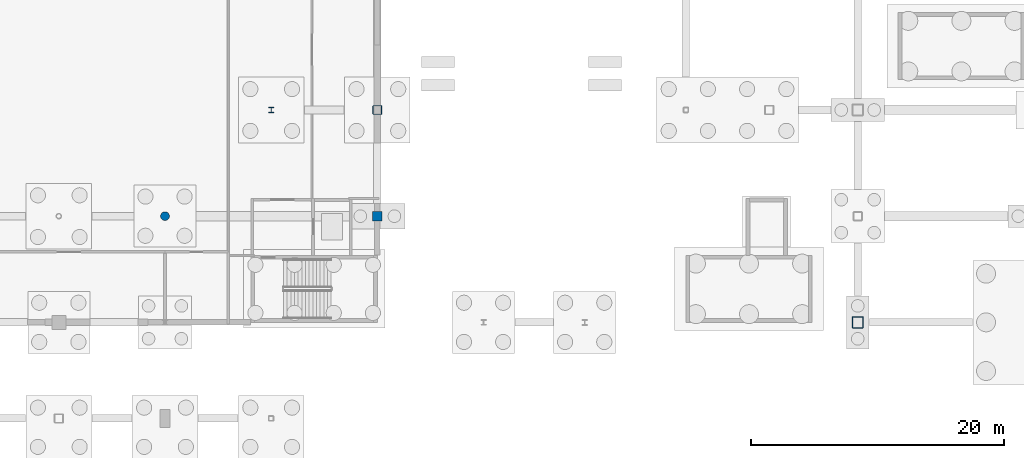
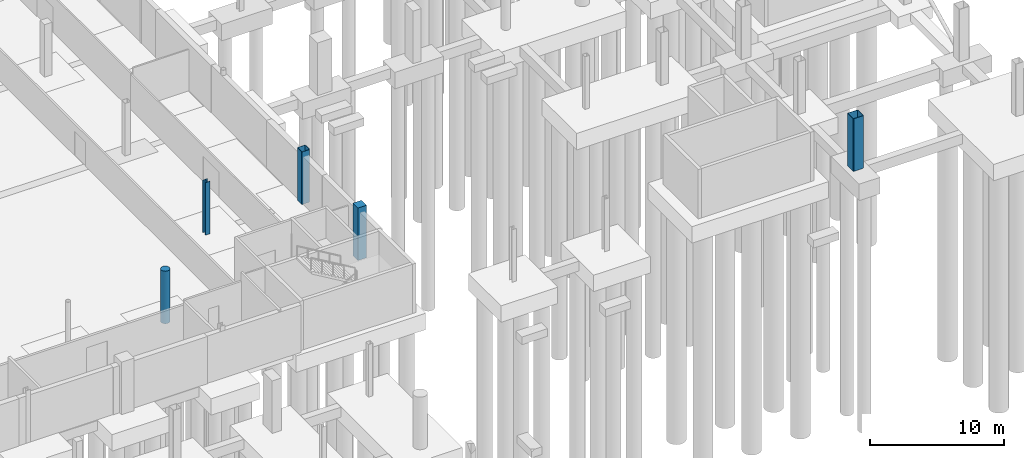
# One storey, part 10 of 34: 5 columns.
"""IFC4 building model written with IfcOpenShell, lengths in metres."""

from ifc_helpers import new_model, si_unit, direction, frame, origin, origin_2d, place, context, subcontext, project, spatial, rectangle, hollow_rectangle, circle, i_section, extrude, material, material_profile, profile_set, type_object, element, save


model = new_model("IFC4")

# Units and contexts
model_context = context("Model", 3, precision=1e-05, world=origin(), true_north=direction((0.0, 1.0)))
body_context = subcontext(model_context, "Body", "Model", "MODEL_VIEW")
ifc_project = project(units=[si_unit("LENGTHUNIT", "METRE"), si_unit("AREAUNIT", "SQUARE_METRE"), si_unit("VOLUMEUNIT", "CUBIC_METRE"), si_unit("PLANEANGLEUNIT", "RADIAN"), si_unit("MASSUNIT", "GRAM", prefix="KILO")], contexts=[model_context])

# Site, building, storey
site_placement = place(None, origin())
site = spatial("IfcSite", under=ifc_project, at=site_placement, CompositionType="ELEMENT")
building_placement = place(site_placement, origin())
building = spatial("IfcBuilding", under=site, at=building_placement, Name="Larkvane Passage Sports Hall", CompositionType="ELEMENT")
storey_placement = place(building_placement, frame((0.0, 0.0, -4.800048828125)))
storey = spatial("IfcBuildingStorey", under=building, at=storey_placement, Name="B01", CompositionType="ELEMENT", Elevation=-4.800048828125)

# Columns
ifc_material_1 = material(Name="Concrete C40/50", Category="concrete")
ifc_material_profile_1 = material_profile(ifc_material_1, circle(Radius=0.35009765625, at=origin_2d()), Name="RC-CIR-700")
ifc_profile_set_1 = profile_set([ifc_material_profile_1], Name="Concrete C40/50")
column_type_1 = type_object("IfcColumnType", Name="COL-CIR-700", PredefinedType="COLUMN", material=ifc_profile_set_1)
column_1_placement = place(storey_placement, frame((76.800048828125, 31.199951171875, 0.0), z_axis=(0.0, 0.0, 1.0), x_axis=(1.0, 0.0, 0.0)))
element("IfcColumn", 1, at=column_1_placement, inside=storey, type_object=column_type_1, Name="Column 11/E B01", PredefinedType="COLUMN", context=body_context, shape_type="SweptSolid", body=[
    extrude(circle(Radius=0.35009765625, at=origin_2d()), origin(), (0.0, 0.0, 1.0), 4.800048828125),
])
ifc_material_profile_2 = material_profile(ifc_material_1, rectangle(XDim=0.75, YDim=0.75, at=origin_2d()), Name="RC-COL-750x750")
ifc_profile_set_2 = profile_set([ifc_material_profile_2], Name="Concrete C40/50")
column_type_2 = type_object("IfcColumnType", Name="COL-RC-750", PredefinedType="COLUMN", material=ifc_profile_set_2)
column_2_placement = place(storey_placement, frame((93.60009765625, 31.199951171875, 0.0), z_axis=(0.0, 0.0, 1.0), x_axis=(1.0, 0.0, 0.0)))
element("IfcColumn", 2, at=column_2_placement, inside=storey, type_object=column_type_2, Name="Column 13/E B01", PredefinedType="COLUMN", context=body_context, shape_type="SweptSolid", body=[
    extrude(rectangle(XDim=0.75, YDim=0.75, at=origin_2d()), origin(), (0.0, 0.0, 1.0), 4.800048828125),
])
ifc_material_2 = material(Name="Steel S460N", Category="steel")
ifc_material_profile_3 = material_profile(ifc_material_2, hollow_rectangle(XDim=0.699951171875, YDim=0.699951171875, WallThickness=0.028076171875, InnerFilletRadius=0.028076171875, OuterFilletRadius=0.055908203125, at=origin_2d()), Name="BOX-700x700x28")
ifc_profile_set_3 = profile_set([ifc_material_profile_3], Name="Steel S460N")
column_type_3 = type_object("IfcColumnType", Name="COL-STL-BOX700", PredefinedType="COLUMN", material=ifc_profile_set_3)
column_3_placement = place(storey_placement, frame((93.60009765625, 39.60009765625, 0.0), z_axis=(0.0, 0.0, 1.0), x_axis=(1.0, 0.0, 0.0)))
element("IfcColumn", 3, at=column_3_placement, inside=storey, type_object=column_type_3, Name="Column 13/F B01", PredefinedType="COLUMN", context=body_context, shape_type="SweptSolid", body=[
    extrude(hollow_rectangle(XDim=0.699951171875, YDim=0.699951171875, WallThickness=0.028076171875, InnerFilletRadius=0.028076171875, OuterFilletRadius=0.055908203125, at=origin_2d()), origin(), (0.0, 0.0, 1.0), 4.800048828125),
])
ifc_material_profile_4 = material_profile(ifc_material_2, hollow_rectangle(XDim=0.89990234375, YDim=0.89990234375, WallThickness=0.035888671875, InnerFilletRadius=0.035888671875, OuterFilletRadius=0.072021484375, at=origin_2d()), Name="BOX-900x900x36")
ifc_profile_set_4 = profile_set([ifc_material_profile_4], Name="Steel S460N")
column_type_4 = type_object("IfcColumnType", Name="COL-STL-BOX900", PredefinedType="COLUMN", material=ifc_profile_set_4)
column_4_placement = place(storey_placement, frame((131.60009765625, 22.800048828125, 0.0), z_axis=(0.0, 0.0, 1.0), x_axis=(1.0, 0.0, 0.0)))
element("IfcColumn", 4, at=column_4_placement, inside=storey, type_object=column_type_4, Name="Column 18/D B01", PredefinedType="COLUMN", context=body_context, shape_type="SweptSolid", body=[
    extrude(hollow_rectangle(XDim=0.89990234375, YDim=0.89990234375, WallThickness=0.035888671875, InnerFilletRadius=0.035888671875, OuterFilletRadius=0.072021484375, at=origin_2d()), origin(), (0.0, 0.0, 1.0), 4.800048828125),
])
ifc_material_profile_5 = material_profile(ifc_material_2, i_section(OverallWidth=0.405029296875, OverallDepth=0.4140625, WebThickness=0.01806640625, FlangeThickness=0.028076171875, FilletRadius=0.02197265625, at=origin_2d()), Name="H-414x405x18x28")
ifc_profile_set_5 = profile_set([ifc_material_profile_5], Name="Steel S460N")
column_type_5 = type_object("IfcColumnType", Name="COL-STL-H414", PredefinedType="COLUMN", material=ifc_profile_set_5)
column_5_placement = place(storey_placement, frame((85.199951171875, 39.60009765625, 0.0), z_axis=(0.0, 0.0, 1.0), x_axis=(1.0, 0.0, 0.0)))
element("IfcColumn", 5, at=column_5_placement, inside=storey, type_object=column_type_5, Name="Column 12/F B01", PredefinedType="COLUMN", context=body_context, shape_type="SweptSolid", body=[
    extrude(i_section(OverallWidth=0.405029296875, OverallDepth=0.4140625, WebThickness=0.01806640625, FlangeThickness=0.028076171875, FilletRadius=0.02197265625, at=origin_2d()), origin(), (0.0, 0.0, 1.0), 4.800048828125),
])

save(model, "model.ifc")
